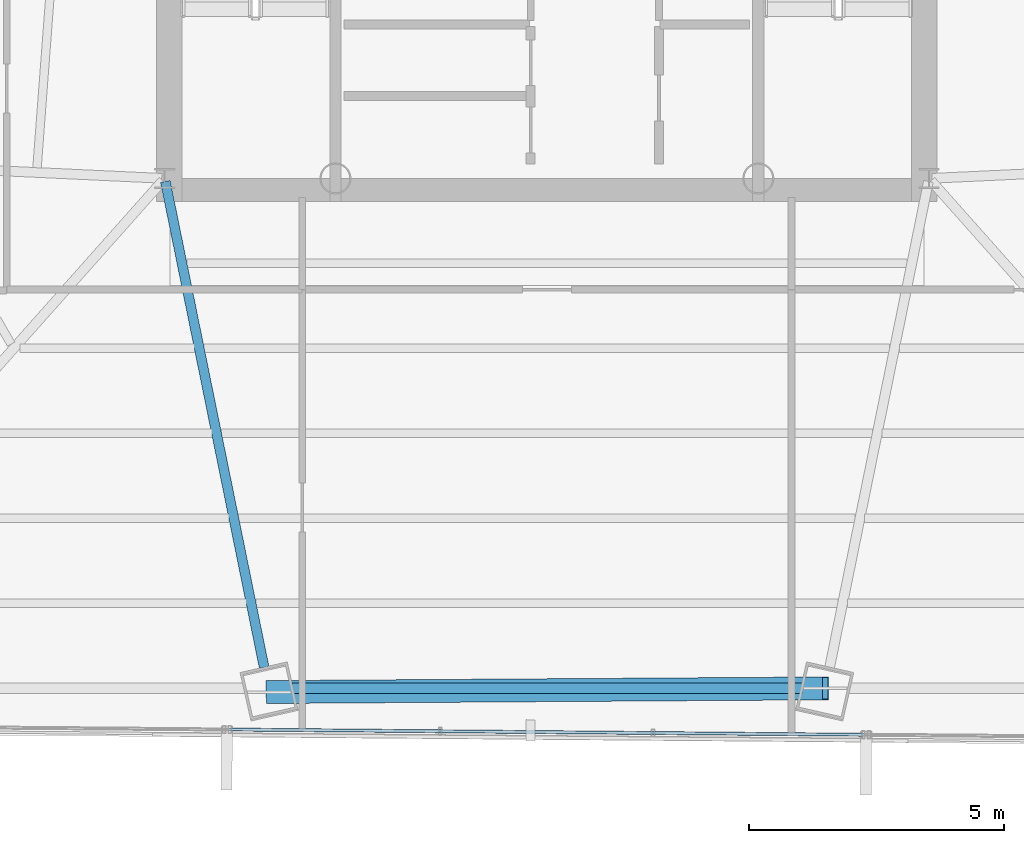
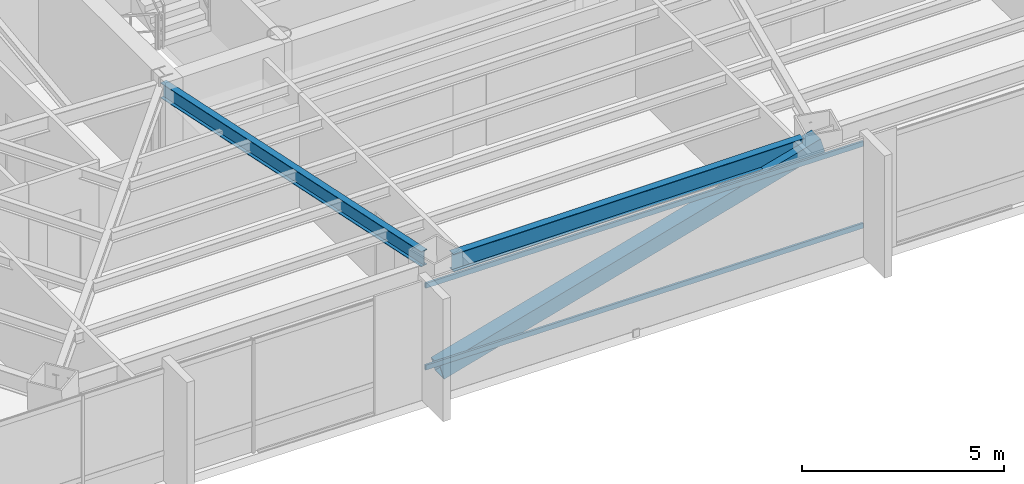
# One storey, part 9 of 38: 3 members, 2 beams, 1 element without a shape of its own.
"""IFC4 building model written with IfcOpenShell, lengths in metres."""

from ifc_helpers import new_model, si_unit, direction, frame, origin, origin_2d, place, context, subcontext, project, spatial, hollow_rectangle, i_section, extrude, source, transform, mapped, material, material_profile, profile_set, type_object, type_shapes, element, aggregate, save


model = new_model("IFC4")

# Units and contexts
model_context = context("Model", 3, precision=1e-05, world=origin(), true_north=direction((0.0, 1.0)))
body_context = subcontext(model_context, "Body", "Model", "MODEL_VIEW")
ifc_project = project(units=[si_unit("LENGTHUNIT", "METRE"), si_unit("AREAUNIT", "SQUARE_METRE"), si_unit("VOLUMEUNIT", "CUBIC_METRE"), si_unit("PLANEANGLEUNIT", "RADIAN"), si_unit("MASSUNIT", "GRAM", prefix="KILO")], contexts=[model_context])

# Site, building, storey
site_placement = place(None, origin())
site = spatial("IfcSite", under=ifc_project, at=site_placement, CompositionType="ELEMENT")
building_placement = place(site_placement, origin())
building = spatial("IfcBuilding", under=site, at=building_placement, Name="Caelisora Broadcast Tower", CompositionType="ELEMENT")
storey_placement = place(building_placement, frame((0.0, 0.0, 154.85009765625)))
storey = spatial("IfcBuildingStorey", under=building, at=storey_placement, Name="L40", CompositionType="ELEMENT", Elevation=154.85009765625)

# Beams
ifc_material_1 = material(Name="Steel Grade 350 (AS/NZS 3679.1)", Category="steel")
ifc_material_profile_1 = material_profile(ifc_material_1, i_section(OverallWidth=0.208984375, OverallDepth=0.532958984375, WebThickness=0.01025390625, FlangeThickness=0.015625, at=origin_2d()), Name="Steel Grade 350 (AS/NZS 3679.1)")
ifc_profile_set_1 = profile_set([ifc_material_profile_1], Name="Steel Grade 350 (AS/NZS 3679.1)")
beam_type_1 = type_object("IfcBeamType", Name="PG05", PredefinedType="BEAM", material=ifc_profile_set_1)
shared_shape_1 = source(origin(), body_context, "Body", "SweptSolid", [
    extrude(i_section(OverallWidth=0.208984375, OverallDepth=0.532958984375, WebThickness=0.01025390625, FlangeThickness=0.015625, at=origin_2d()), origin(), (0.0, 0.0, 1.0), 10.01025390625),
])
type_shapes(beam_type_1, [shared_shape_1])
beam_1_placement = place(storey_placement, frame((32.994873046875, 7.392822265625, 3.13330078125), z_axis=(1.0, 0.0, 0.0), x_axis=(0.0, 1.0, 0.0)))
element("IfcBeam", 1, at=beam_1_placement, inside=storey, type_object=beam_type_1, Name="L40 beam PG05", PredefinedType="BEAM", context=body_context, shape_type="MappedRepresentation", body=[
    mapped(shared_shape_1, transform((0.0, 0.0, 0.0), scale=1.0)),
])
ifc_material_profile_2 = material_profile(ifc_material_1, i_section(OverallWidth=0.19091796875, OverallDepth=0.46044921875, WebThickness=0.010009765625, FlangeThickness=0.01611328125, at=origin_2d()), Name="Steel Grade 350 (AS/NZS 3679.1)")
ifc_profile_set_2 = profile_set([ifc_material_profile_2], Name="Steel Grade 350 (AS/NZS 3679.1)")
beam_type_2 = type_object("IfcBeamType", Name="PG06", PredefinedType="BEAM", material=ifc_profile_set_2)
shared_shape_2 = source(origin(), body_context, "Body", "SweptSolid", [
    extrude(i_section(OverallWidth=0.19091796875, OverallDepth=0.46044921875, WebThickness=0.010009765625, FlangeThickness=0.01611328125, at=origin_2d()), origin(), (0.0, 0.0, 1.0), 9.73193359375),
])
type_shapes(beam_type_2, [shared_shape_2])
beam_2_placement = place(storey_placement, frame((30.511962890625, 17.34130859375, 3.169677734375), z_axis=(0.199260563546, -0.979946543346, 0.0), x_axis=(0.979946543346, 0.199260563546, 0.0)))
element("IfcBeam", 2, at=beam_2_placement, inside=storey, type_object=beam_type_2, Name="L40 beam PG06", PredefinedType="BEAM", context=body_context, shape_type="MappedRepresentation", body=[
    mapped(shared_shape_2, transform((0.0, 0.0, 0.0), scale=1.0)),
])

# Member
ifc_material_2 = material(Name="Steel Grade 450 (AS/NZS 1163 C450L0)", Category="steel")
ifc_material_profile_3 = material_profile(ifc_material_2, hollow_rectangle(XDim=0.449951171875, YDim=0.449951171875, WallThickness=0.01611328125, at=origin_2d()), Name="Steel Grade 450 (AS/NZS 1163 C450L0)")
ifc_profile_set_3 = profile_set([ifc_material_profile_3], Name="Steel Grade 450 (AS/NZS 1163 C450L0)")
member_type_1 = type_object("IfcMemberType", Name="BR03", PredefinedType="BRACE", material=ifc_profile_set_3)
shared_shape_3 = source(origin(), body_context, "Body", "SweptSolid", [
    extrude(hollow_rectangle(XDim=0.449951171875, YDim=0.449951171875, WallThickness=0.01611328125, at=origin_2d()), origin(), (0.0, 0.0, 1.0), 11.31884765625),
])
type_shapes(member_type_1, [shared_shape_3])
member_1_placement = place(storey_placement, frame((32.55126953125, 7.320556640625, 0.099853515625), z_axis=(0.96421510002, 0.00638453056, 0.265044295663), x_axis=(-0.006621334391, 0.999978078725, 0.0)))
element("IfcMember", 3, at=member_1_placement, inside=storey, type_object=member_type_1, Name="L40 perimeter brace BR03", PredefinedType="BRACE", context=body_context, shape_type="MappedRepresentation", body=[
    mapped(shared_shape_3, transform((0.0, 0.0, 0.0), scale=1.0)),
])

# Curtain wall, members
ifc_material_3 = material(Name="Unitised Aluminium Insulated Shadow-Box Spandrel Curtain Wall", Category="aluminium")
curtain_wall_type = type_object("IfcCurtainWallType", Name="CW-SP2", PredefinedType="NOTDEFINED", material=ifc_material_3)
curtain_wall_placement = place(storey_placement, origin())
curtain_wall = element("IfcCurtainWall", 4, at=curtain_wall_placement, inside=storey, type_object=curtain_wall_type, Name="L40 curtain wall CW-SP2", PredefinedType="NOTDEFINED")
ifc_material_4 = material(Name="Aluminium 6063-T6 Anodised Terracotta Bronze", Category="aluminium")
ifc_material_profile_4 = material_profile(ifc_material_4, hollow_rectangle(XDim=0.06005859375, YDim=0.14990234375, WallThickness=0.00341796875, at=origin_2d()), Name="Aluminium 6063-T6 Anodised Terracotta Bronze")
ifc_profile_set_4 = profile_set([ifc_material_profile_4], Name="Aluminium 6063-T6 Anodised Terracotta Bronze")
member_type_2 = type_object("IfcMemberType", Name="CWT-02", PredefinedType="USERDEFINED", material=ifc_profile_set_4)
shared_shape_4 = source(origin(), body_context, "Body", "SweptSolid", [
    extrude(hollow_rectangle(XDim=0.06005859375, YDim=0.14990234375, WallThickness=0.00341796875, at=origin_2d()), origin(), (0.0, 0.0, 1.0), 12.437255859375),
])
type_shapes(member_type_2, [shared_shape_4])
member_2_placement = place(storey_placement, frame((44.2119140625, 6.482421875, 0.849853515625), z_axis=(-0.999965851077, 0.008264180587, 0.0), x_axis=(-0.008264180587, -0.999965851077, 0.0)))
member_2 = element("IfcMember", 5, at=member_2_placement, type_object=member_type_2, Name="L40-CW-B06 transom #1", ObjectType="TRANSOM", PredefinedType="USERDEFINED", context=body_context, shape_type="MappedRepresentation", body=[
    mapped(shared_shape_4, transform((0.0, 0.0, 0.0), scale=1.0)),
])
member_3_placement = place(storey_placement, frame((44.2119140625, 6.482421875, 3.31982421875), z_axis=(-0.999965851077, 0.008264180587, 0.0), x_axis=(-0.008264180587, -0.999965851077, 0.0)))
member_3 = element("IfcMember", 6, at=member_3_placement, type_object=member_type_2, Name="L40-CW-B06 transom #2", ObjectType="TRANSOM", PredefinedType="USERDEFINED", context=body_context, shape_type="MappedRepresentation", body=[
    mapped(shared_shape_4, transform((0.0, 0.0, 0.0), scale=1.0)),
])
aggregate(curtain_wall, [member_2, member_3])

save(model, "model.ifc")
